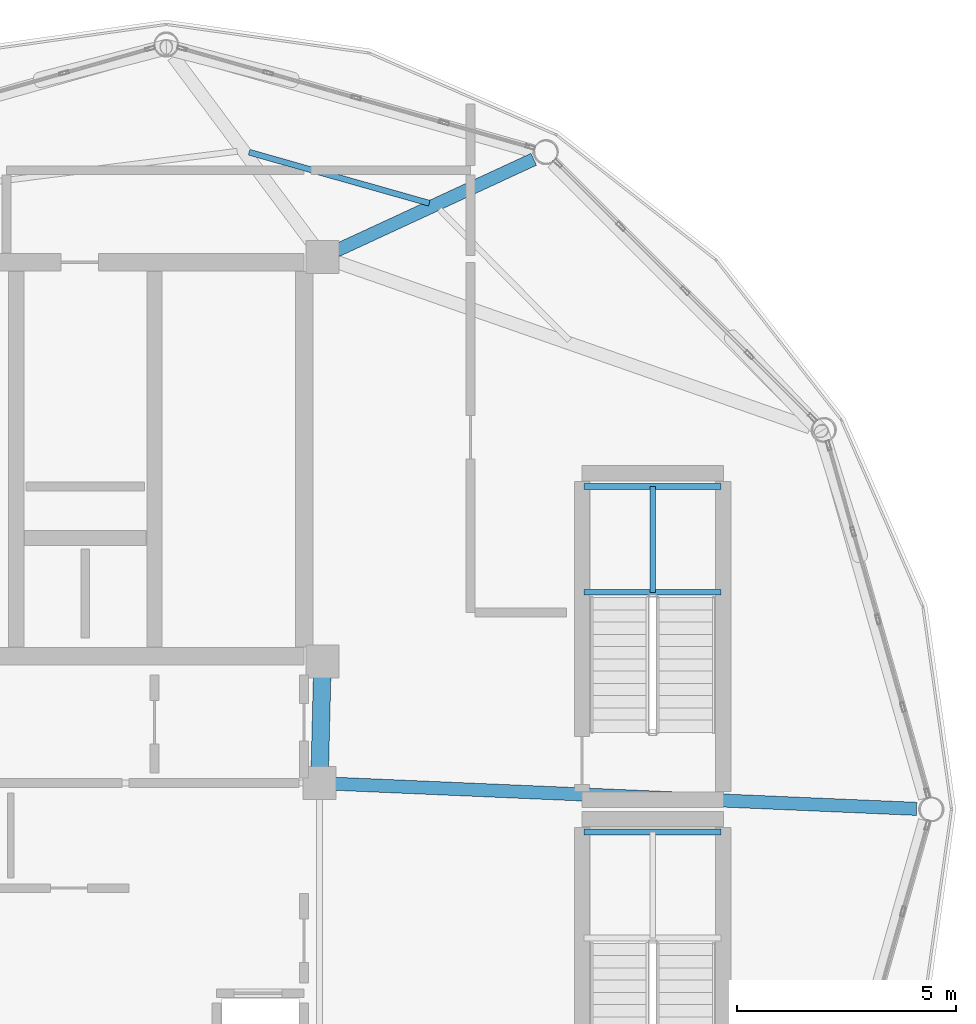
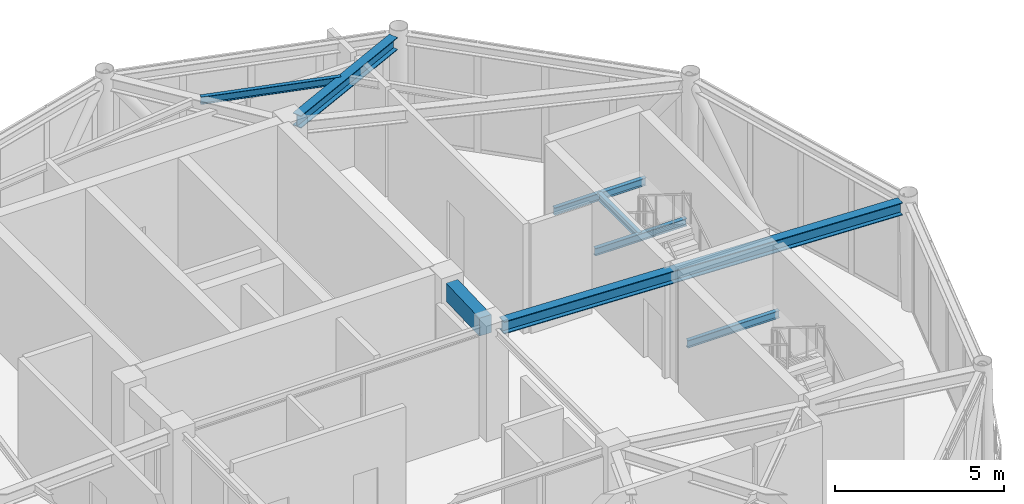
# One storey, part 10 of 20: 8 beams.
"""IFC4 building model written with IfcOpenShell, lengths in metres."""

from ifc_helpers import new_model, si_unit, direction, frame, origin, origin_2d, place, context, subcontext, project, spatial, rectangle, i_section, extrude, material, material_profile, profile_set, type_object, element, save


model = new_model("IFC4")

# Units and contexts
model_context = context("Model", 3, precision=1e-05, world=origin(), true_north=direction((0.0, 1.0)))
body_context = subcontext(model_context, "Body", "Model", "MODEL_VIEW")
ifc_project = project(units=[si_unit("LENGTHUNIT", "METRE"), si_unit("AREAUNIT", "SQUARE_METRE"), si_unit("VOLUMEUNIT", "CUBIC_METRE"), si_unit("PLANEANGLEUNIT", "RADIAN"), si_unit("MASSUNIT", "GRAM", prefix="KILO")], contexts=[model_context])

# Site, building, storey
site_placement = place(None, origin())
site = spatial("IfcSite", under=ifc_project, at=site_placement, CompositionType="ELEMENT")
building_placement = place(site_placement, origin())
building = spatial("IfcBuilding", under=site, at=building_placement, Name="Varnakorn Sky Granary", CompositionType="ELEMENT")
storey_placement = place(building_placement, frame((0.0, 0.0, 302.39990234375)))
storey = spatial("IfcBuildingStorey", under=building, at=storey_placement, Name="L77", CompositionType="ELEMENT", Elevation=302.39990234375)

# Beams
ifc_material_1 = material(Name="Concrete C50/60", Category="concrete")
ifc_material_profile_1 = material_profile(ifc_material_1, rectangle(XDim=0.39990234375, YDim=0.64990234375, at=origin_2d()), Name="RC 400x650")
ifc_profile_set_1 = profile_set([ifc_material_profile_1], Name="Concrete C50/60")
beam_type_1 = type_object("IfcBeamType", Name="BM-LIN-650", PredefinedType="LINTEL", material=ifc_profile_set_1)
beam_1_placement = place(storey_placement, frame((8.4111328125, 3.025146484375, 3.635009765625), z_axis=(-0.025227817192, -0.999681727971, 0.0), x_axis=(0.999681727971, -0.025227817192, 0.0)))
element("IfcBeam", 1, at=beam_1_placement, inside=storey, type_object=beam_type_1, Name="Core Spine Framing Beam 2 L77", PredefinedType="LINTEL", context=body_context, shape_type="SweptSolid", body=[
    extrude(rectangle(XDim=0.39990234375, YDim=0.64990234375, at=origin_2d()), origin(), (0.0, 0.0, 1.0), 2.071044921875),
])
ifc_material_2 = material(Name="Steel S355JR", Category="steel")
ifc_material_profile_2 = material_profile(ifc_material_2, i_section(OverallWidth=0.135009765625, OverallDepth=0.27001953125, WebThickness=0.006591796875, FlangeThickness=0.01025390625, at=origin_2d()), Name="IPE 270")
ifc_profile_set_2 = profile_set([ifc_material_profile_2], Name="Steel S355JR")
beam_type_2 = type_object("IfcBeamType", Name="BM-LND-270", PredefinedType="BEAM", material=ifc_profile_set_2)
for number, where, z_axis, x_axis, name in (
    (2, (14.39990234375, 4.9599609375, 1.76513671875), (1.0, 0.0, 0.0), (0.0, 1.0, 0.0), "Stair ST-C1 Landing Trimmer Beam A L77-1"),
    (3, (14.39990234375, 7.3798828125, 1.76513671875), (1.0, 0.0, 0.0), (0.0, 1.0, 0.0), "Stair ST-C1 Landing Trimmer Beam B L77-1"),
):
    element("IfcBeam", number, at=place(storey_placement, frame(where, z_axis=z_axis, x_axis=x_axis)), inside=storey, type_object=beam_type_2, Name=name, PredefinedType="BEAM", context=body_context, shape_type="SweptSolid", body=[
        extrude(i_section(OverallWidth=0.135009765625, OverallDepth=0.27001953125, WebThickness=0.006591796875, FlangeThickness=0.01025390625, at=origin_2d()), origin(), (0.0, 0.0, 1.0), 3.130126953125),
    ])
beam_2_placement = place(storey_placement, frame((15.965087890625, 4.9599609375, 1.76513671875), z_axis=(0.0, 1.0, 0.0), x_axis=(-1.0, 0.0, 0.0)))
element("IfcBeam", 4, at=beam_2_placement, inside=storey, type_object=beam_type_2, Name="Stair ST-C1 Landing Cross Beam C L77-1", PredefinedType="BEAM", context=body_context, shape_type="SweptSolid", body=[
    extrude(i_section(OverallWidth=0.135009765625, OverallDepth=0.27001953125, WebThickness=0.006591796875, FlangeThickness=0.01025390625, at=origin_2d()), origin(), (0.0, 0.0, 1.0), 2.419921875),
])
beam_3_placement = place(storey_placement, frame((14.39990234375, -0.52001953125, 1.76513671875), z_axis=(1.0, 0.0, 0.0), x_axis=(0.0, 1.0, 0.0)))
element("IfcBeam", 5, at=beam_3_placement, inside=storey, type_object=beam_type_2, Name="Stair ST-C2 Landing Trimmer Beam B L77-1", PredefinedType="BEAM", context=body_context, shape_type="SweptSolid", body=[
    extrude(i_section(OverallWidth=0.135009765625, OverallDepth=0.27001953125, WebThickness=0.006591796875, FlangeThickness=0.01025390625, at=origin_2d()), origin(), (0.0, 0.0, 1.0), 3.130126953125),
])
ifc_material_profile_3 = material_profile(ifc_material_2, i_section(OverallWidth=0.300048828125, OverallDepth=0.449951171875, WebThickness=0.013916015625, FlangeThickness=0.02587890625, at=origin_2d()), Name="HE 450 B")
ifc_profile_set_3 = profile_set([ifc_material_profile_3], Name="Steel S355JR")
beam_type_3 = type_object("IfcBeamType", Name="BM-RAD-Z5", PredefinedType="BEAM", material=ifc_profile_set_3)
beam_4_placement = place(storey_placement, frame((8.70458984375, 0.584716796875, 3.735107421875), z_axis=(0.999070785924, -0.043099474633, 0.0), x_axis=(0.043099474633, 0.999070785924, 0.0)))
element("IfcBeam", 6, at=beam_4_placement, inside=storey, type_object=beam_type_3, Name="Radial Floor Girder RG01 L77", PredefinedType="BEAM", context=body_context, shape_type="SweptSolid", body=[
    extrude(i_section(OverallWidth=0.300048828125, OverallDepth=0.449951171875, WebThickness=0.013916015625, FlangeThickness=0.02587890625, at=origin_2d()), origin(), (0.0, 0.0, 1.0), 13.300537109375),
])
beam_5_placement = place(storey_placement, frame((8.7421875, 12.76904296875, 3.735107421875), z_axis=(0.907555802423, 0.419931500948, 0.0), x_axis=(-0.419931500948, 0.907555802423, 0.0)))
element("IfcBeam", 7, at=beam_5_placement, inside=storey, type_object=beam_type_3, Name="Radial Floor Girder RG03 L77", PredefinedType="BEAM", context=body_context, shape_type="SweptSolid", body=[
    extrude(i_section(OverallWidth=0.300048828125, OverallDepth=0.449951171875, WebThickness=0.013916015625, FlangeThickness=0.02587890625, at=origin_2d()), origin(), (0.0, 0.0, 1.0), 4.962646484375),
])
ifc_material_profile_4 = material_profile(ifc_material_2, i_section(OverallWidth=0.135009765625, OverallDepth=0.27001953125, WebThickness=0.006591796875, FlangeThickness=0.01025390625, at=origin_2d()), Name="IPE 270")
ifc_profile_set_4 = profile_set([ifc_material_profile_4], Name="Steel S355JR")
beam_type_4 = type_object("IfcBeamType", Name="BM-SEC-Z5", PredefinedType="BEAM", material=ifc_profile_set_4)
beam_6_placement = place(storey_placement, frame((10.859375, 13.84912109375, 3.8251953125), z_axis=(-0.962150168964, 0.272519820127, 0.0), x_axis=(-0.272519820127, -0.962150168964, 0.0)))
element("IfcBeam", 8, at=beam_6_placement, inside=storey, type_object=beam_type_4, Name="Secondary Floor Chord Beam MSB03 L77", PredefinedType="BEAM", context=body_context, shape_type="SweptSolid", body=[
    extrude(i_section(OverallWidth=0.135009765625, OverallDepth=0.27001953125, WebThickness=0.006591796875, FlangeThickness=0.01025390625, at=origin_2d()), origin(), (0.0, 0.0, 1.0), 4.278564453125),
])

save(model, "model.ifc")
